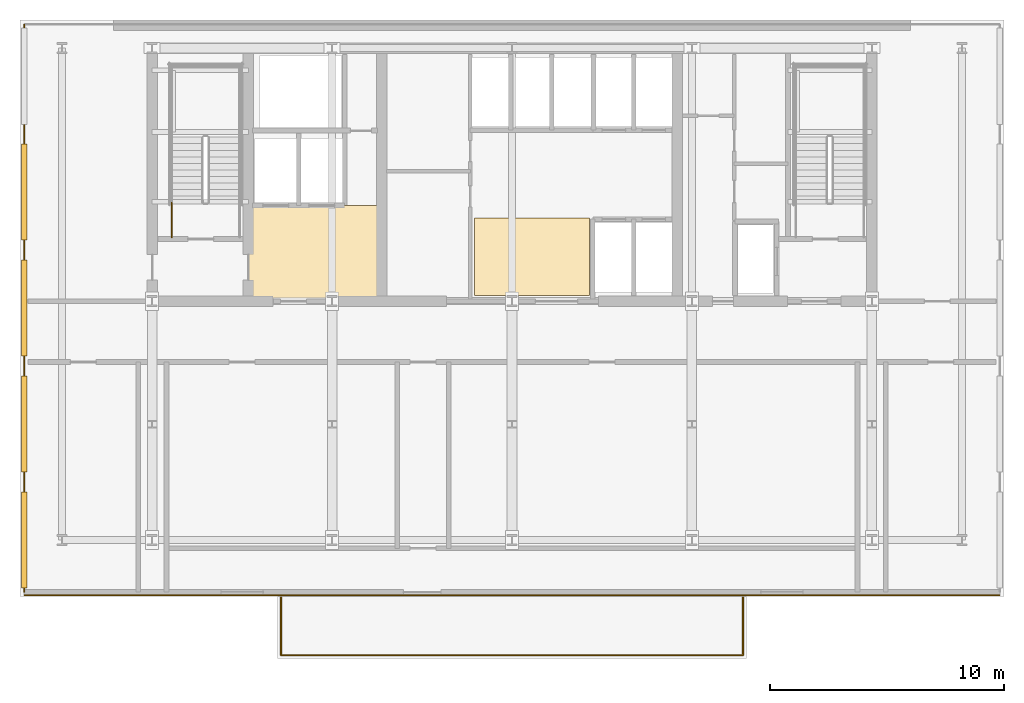
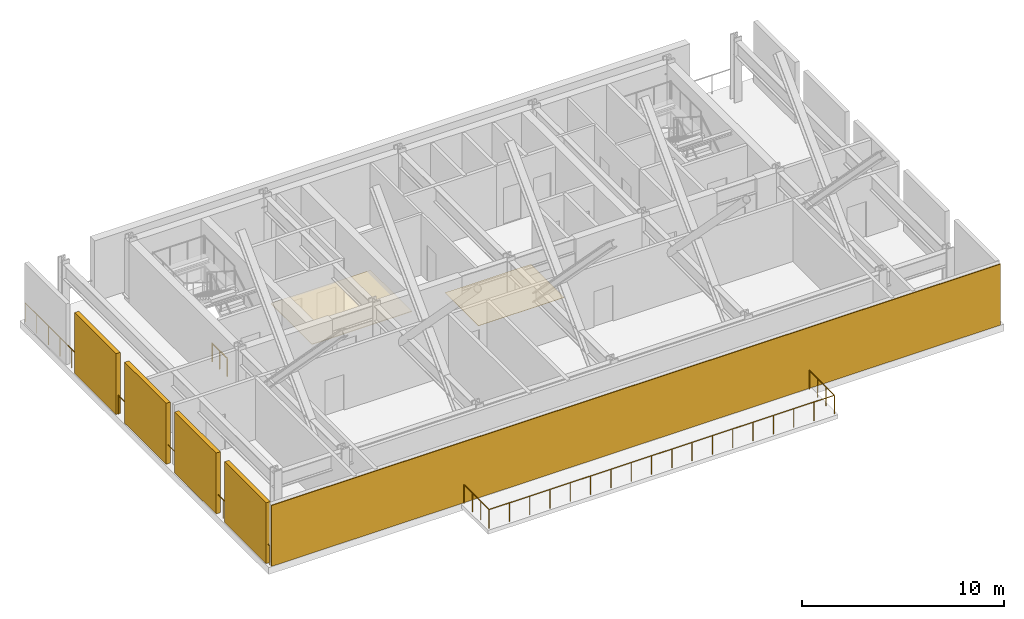
# One storey, part 5 of 8: 4 shading devices, 3 coverings, 3 railings.
"""IFC4 building model written with IfcOpenShell, lengths in metres."""

from ifc_helpers import new_model, si_unit, direction, frame, frame_2d, origin, origin_2d, place, context, subcontext, project, spatial, polyline, rectangle, circle, outline, extrude, material, layer, layer_set, type_object, element, save


model = new_model("IFC4")

# Units and contexts
model_context = context("Model", 3, precision=1e-05, world=origin(), true_north=direction((0.0, 1.0)))
body_context = subcontext(model_context, "Body", "Model", "MODEL_VIEW")
ifc_project = project(units=[si_unit("LENGTHUNIT", "METRE"), si_unit("AREAUNIT", "SQUARE_METRE"), si_unit("VOLUMEUNIT", "CUBIC_METRE"), si_unit("PLANEANGLEUNIT", "RADIAN"), si_unit("MASSUNIT", "GRAM", prefix="KILO")], contexts=[model_context])

# Site, building, storey
site_placement = place(None, origin())
site = spatial("IfcSite", under=ifc_project, at=site_placement, CompositionType="ELEMENT")
building_placement = place(site_placement, origin())
building = spatial("IfcBuilding", under=site, at=building_placement, Name="Yelkora Congress Tower", CompositionType="ELEMENT")
storey_placement = place(building_placement, frame((0.0, 0.0, 137.300048828125)))
storey = spatial("IfcBuildingStorey", under=building, at=storey_placement, Name="L37", CompositionType="ELEMENT", Elevation=137.300048828125)

# Coverings
ifc_material_1 = material(Name="Perforated mineral-fibre acoustic ceiling", Category="gypsum")
ifc_layer_1 = layer(ifc_material_1, 0.0400390625)
ifc_layer_set_1 = layer_set([ifc_layer_1], Name="Perforated mineral-fibre acoustic ceiling")
covering_type_1 = type_object("IfcCoveringType", Name="COV-CEIL-ACOUSTIC-40", PredefinedType="CEILING", material=ifc_layer_set_1)
covering_1_placement = place(storey_placement, frame((0.0, 0.0, 2.39990234375)))
element("IfcCovering", 1, at=covering_1_placement, inside=storey, type_object=covering_type_1, Name="L37 Firefighting Lobby Acoustic Ceiling", PredefinedType="CEILING", context=body_context, shape_type="SweptSolid", body=[
    extrude(outline(polyline([(27.14990234375, 35.39990234375), (32.85009765625, 35.39990234375), (32.85009765625, 39.47998046875), (27.14990234375, 39.47998046875), (27.14990234375, 35.39990234375)])), origin(), (0.0, 0.0, 1.0), 0.0400390625),
])
ifc_material_2 = material(Name="Anatolian honed limestone ashlar", Category="masonry")
ifc_layer_2 = layer(ifc_material_2, 0.050048828125)
ifc_layer_set_2 = layer_set([ifc_layer_2], Name="Anatolian honed limestone ashlar")
covering_type_2 = type_object("IfcCoveringType", Name="COV-CLAD-LIMESTONE-50", PredefinedType="CLADDING", material=ifc_layer_set_2)
covering_2_placement = place(storey_placement, frame((17.580078125, 22.840087890625, 0.0), z_axis=(0.0, 0.0, 1.0), x_axis=(1.0, 0.0, 0.0)))
element("IfcCovering", 2, at=covering_2_placement, inside=storey, type_object=covering_type_2, Name="L37 Anatolian Limestone Cladding EW-L37-S-SG", PredefinedType="CLADDING", context=body_context, shape_type="SweptSolid", body=[
    extrude(rectangle(XDim=41.639892578125, YDim=0.050048828125, at=frame_2d((20.81982421875, 0.0))), origin(), (0.0, 0.0, 1.0), 3.679931640625),
])
ifc_material_3 = material(Name="Polished Anatolian grey granite tile", Category="masonry")
ifc_layer_3 = layer(ifc_material_3, 0.02001953125)
ifc_layer_set_3 = layer_set([ifc_layer_3], Name="Polished Anatolian grey granite tile")
covering_type_3 = type_object("IfcCoveringType", Name="COV-FLOOR-GRANITE-20", PredefinedType="FLOORING", material=ifc_layer_set_3)
covering_3_placement = place(storey_placement, origin())
element("IfcCovering", 3, at=covering_3_placement, inside=storey, type_object=covering_type_3, Name="L37 Lift Lobby Granite Flooring", PredefinedType="FLOORING", context=body_context, shape_type="SweptSolid", body=[
    extrude(outline(polyline([(36.800048828125, 35.64990234375), (41.699951171875, 35.64990234375), (41.699951171875, 38.949951171875), (36.800048828125, 38.949951171875), (36.800048828125, 35.64990234375)])), origin(), (0.0, 0.0, 1.0), 0.02001953125),
])

# Railings
ifc_material_4 = material(Name="Stainless steel 316L and laminated glass infill", Category="steel")
ifc_layer_4 = layer(ifc_material_4, 0.080078125)
ifc_layer_set_4 = layer_set([ifc_layer_4], Name="Stainless steel 316L and laminated glass infill")
railing_type_1 = type_object("IfcRailingType", Name="RAIL-EXT-GUARD-1150", PredefinedType="GUARDRAIL", material=ifc_layer_set_4)
railing_1_placement = place(storey_placement, frame((17.580078125, 23.0, 0.0)))
element("IfcRailing", 4, at=railing_1_placement, inside=storey, type_object=railing_type_1, Name="L37 Wind-Floor Perimeter Guardrail W", PredefinedType="GUARDRAIL", context=body_context, shape_type="SweptSolid", body=[
    extrude(circle(Radius=0.02392578125, at=origin_2d()), frame((0.0, 0.0, 1.1259765625), z_axis=(0.0, 1.0, 0.0), x_axis=(-1.0, 0.0, 0.0)), (0.0, 0.0, 1.0), 24.199951171875),
    extrude(circle(Radius=0.02099609375, at=origin_2d()), origin(), (0.0, 0.0, 1.0), 1.101806640625),
    extrude(circle(Radius=0.02099609375, at=origin_2d()), frame((0.0, 1.15234375, 0.0)), (0.0, 0.0, 1.0), 1.101806640625),
    extrude(circle(Radius=0.02099609375, at=origin_2d()), frame((0.0, 2.3046875, 0.0)), (0.0, 0.0, 1.0), 1.101806640625),
    extrude(circle(Radius=0.02099609375, at=origin_2d()), frame((0.0, 3.45703125, 0.0)), (0.0, 0.0, 1.0), 1.101806640625),
    extrude(circle(Radius=0.02099609375, at=origin_2d()), frame((0.0, 4.609619140625, 0.0)), (0.0, 0.0, 1.0), 1.101806640625),
    extrude(circle(Radius=0.02099609375, at=origin_2d()), frame((0.0, 5.761962890625, 0.0)), (0.0, 0.0, 1.0), 1.101806640625),
    extrude(circle(Radius=0.02099609375, at=origin_2d()), frame((0.0, 6.914306640625, 0.0)), (0.0, 0.0, 1.0), 1.101806640625),
    extrude(circle(Radius=0.02099609375, at=origin_2d()), frame((0.0, 8.066650390625, 0.0)), (0.0, 0.0, 1.0), 1.101806640625),
    extrude(circle(Radius=0.02099609375, at=origin_2d()), frame((0.0, 9.218994140625, 0.0)), (0.0, 0.0, 1.0), 1.101806640625),
    extrude(circle(Radius=0.02099609375, at=origin_2d()), frame((0.0, 10.371337890625, 0.0)), (0.0, 0.0, 1.0), 1.101806640625),
    extrude(circle(Radius=0.02099609375, at=origin_2d()), frame((0.0, 11.523681640625, 0.0)), (0.0, 0.0, 1.0), 1.101806640625),
    extrude(circle(Radius=0.02099609375, at=origin_2d()), frame((0.0, 12.67626953125, 0.0)), (0.0, 0.0, 1.0), 1.101806640625),
    extrude(circle(Radius=0.02099609375, at=origin_2d()), frame((0.0, 13.82861328125, 0.0)), (0.0, 0.0, 1.0), 1.101806640625),
    extrude(circle(Radius=0.02099609375, at=origin_2d()), frame((0.0, 14.98095703125, 0.0)), (0.0, 0.0, 1.0), 1.101806640625),
    extrude(circle(Radius=0.02099609375, at=origin_2d()), frame((0.0, 16.13330078125, 0.0)), (0.0, 0.0, 1.0), 1.101806640625),
    extrude(circle(Radius=0.02099609375, at=origin_2d()), frame((0.0, 17.28564453125, 0.0)), (0.0, 0.0, 1.0), 1.101806640625),
    extrude(circle(Radius=0.02099609375, at=origin_2d()), frame((0.0, 18.43798828125, 0.0)), (0.0, 0.0, 1.0), 1.101806640625),
    extrude(circle(Radius=0.02099609375, at=origin_2d()), frame((0.0, 19.59033203125, 0.0)), (0.0, 0.0, 1.0), 1.101806640625),
    extrude(circle(Radius=0.02099609375, at=origin_2d()), frame((0.0, 20.742919921875, 0.0)), (0.0, 0.0, 1.0), 1.101806640625),
    extrude(circle(Radius=0.02099609375, at=origin_2d()), frame((0.0, 21.895263671875, 0.0)), (0.0, 0.0, 1.0), 1.101806640625),
    extrude(circle(Radius=0.02099609375, at=origin_2d()), frame((0.0, 23.047607421875, 0.0)), (0.0, 0.0, 1.0), 1.101806640625),
    extrude(circle(Radius=0.02099609375, at=origin_2d()), frame((0.0, 24.199951171875, 0.0)), (0.0, 0.0, 1.0), 1.101806640625),
])
railing_2_placement = place(storey_placement, frame((28.5400390625, 22.760009765625, 0.0)))
element("IfcRailing", 5, at=railing_2_placement, inside=storey, type_object=railing_type_1, Name="L37 Sky Garden Terrace Perimeter Guardrail", PredefinedType="GUARDRAIL", context=body_context, shape_type="SweptSolid", body=[
    extrude(circle(Radius=0.02392578125, at=origin_2d()), frame((0.0, 0.0, 1.1259765625), z_axis=(0.0, -1.0, 0.0), x_axis=(1.0, 0.0, 0.0)), (0.0, 0.0, 1.0), 2.469970703125),
    extrude(circle(Radius=0.02392578125, at=origin_2d()), frame((0.0, -2.469970703125, 1.1259765625), z_axis=(1.0, 0.0, 0.0), x_axis=(0.0, 1.0, 0.0)), (0.0, 0.0, 1.0), 19.719970703125),
    extrude(circle(Radius=0.02392578125, at=origin_2d()), frame((19.719970703125, -2.469970703125, 1.1259765625), z_axis=(0.0, 1.0, 0.0), x_axis=(-1.0, 0.0, 0.0)), (0.0, 0.0, 1.0), 2.469970703125),
    extrude(circle(Radius=0.02099609375, at=origin_2d()), origin(), (0.0, 0.0, 1.0), 1.101806640625),
    extrude(circle(Radius=0.02099609375, at=origin_2d()), frame((0.0, -0.8232421875, 0.0)), (0.0, 0.0, 1.0), 1.101806640625),
    extrude(circle(Radius=0.02099609375, at=origin_2d()), frame((0.0, -1.646728515625, 0.0)), (0.0, 0.0, 1.0), 1.101806640625),
    extrude(circle(Radius=0.02099609375, at=origin_2d()), frame((0.0, -2.469970703125, 0.0)), (0.0, 0.0, 1.0), 1.101806640625),
    extrude(circle(Radius=0.02099609375, at=origin_2d()), frame((1.159912109375, -2.469970703125, 0.0)), (0.0, 0.0, 1.0), 1.101806640625),
    extrude(circle(Radius=0.02099609375, at=origin_2d()), frame((2.320068359375, -2.469970703125, 0.0)), (0.0, 0.0, 1.0), 1.101806640625),
    extrude(circle(Radius=0.02099609375, at=origin_2d()), frame((3.47998046875, -2.469970703125, 0.0)), (0.0, 0.0, 1.0), 1.101806640625),
    extrude(circle(Radius=0.02099609375, at=origin_2d()), frame((4.639892578125, -2.469970703125, 0.0)), (0.0, 0.0, 1.0), 1.101806640625),
    extrude(circle(Radius=0.02099609375, at=origin_2d()), frame((5.800048828125, -2.469970703125, 0.0)), (0.0, 0.0, 1.0), 1.101806640625),
    extrude(circle(Radius=0.02099609375, at=origin_2d()), frame((6.9599609375, -2.469970703125, 0.0)), (0.0, 0.0, 1.0), 1.101806640625),
    extrude(circle(Radius=0.02099609375, at=origin_2d()), frame((8.119873046875, -2.469970703125, 0.0)), (0.0, 0.0, 1.0), 1.101806640625),
    extrude(circle(Radius=0.02099609375, at=origin_2d()), frame((9.280029296875, -2.469970703125, 0.0)), (0.0, 0.0, 1.0), 1.101806640625),
    extrude(circle(Radius=0.02099609375, at=origin_2d()), frame((10.43994140625, -2.469970703125, 0.0)), (0.0, 0.0, 1.0), 1.101806640625),
    extrude(circle(Radius=0.02099609375, at=origin_2d()), frame((11.60009765625, -2.469970703125, 0.0)), (0.0, 0.0, 1.0), 1.101806640625),
    extrude(circle(Radius=0.02099609375, at=origin_2d()), frame((12.760009765625, -2.469970703125, 0.0)), (0.0, 0.0, 1.0), 1.101806640625),
    extrude(circle(Radius=0.02099609375, at=origin_2d()), frame((13.919921875, -2.469970703125, 0.0)), (0.0, 0.0, 1.0), 1.101806640625),
    extrude(circle(Radius=0.02099609375, at=origin_2d()), frame((15.080078125, -2.469970703125, 0.0)), (0.0, 0.0, 1.0), 1.101806640625),
    extrude(circle(Radius=0.02099609375, at=origin_2d()), frame((16.239990234375, -2.469970703125, 0.0)), (0.0, 0.0, 1.0), 1.101806640625),
    extrude(circle(Radius=0.02099609375, at=origin_2d()), frame((17.39990234375, -2.469970703125, 0.0)), (0.0, 0.0, 1.0), 1.101806640625),
    extrude(circle(Radius=0.02099609375, at=origin_2d()), frame((18.56005859375, -2.469970703125, 0.0)), (0.0, 0.0, 1.0), 1.101806640625),
    extrude(circle(Radius=0.02099609375, at=origin_2d()), frame((19.719970703125, -2.469970703125, 0.0)), (0.0, 0.0, 1.0), 1.101806640625),
    extrude(circle(Radius=0.02099609375, at=origin_2d()), frame((19.719970703125, -1.646728515625, 0.0)), (0.0, 0.0, 1.0), 1.101806640625),
    extrude(circle(Radius=0.02099609375, at=origin_2d()), frame((19.719970703125, -0.8232421875, 0.0)), (0.0, 0.0, 1.0), 1.101806640625),
    extrude(circle(Radius=0.02099609375, at=origin_2d()), frame((19.719970703125, 0.0, 0.0)), (0.0, 0.0, 1.0), 1.101806640625),
])
ifc_material_5 = material(Name="Painted galvanised steel stair well guard with vertical infill", Category="steel")
ifc_layer_5 = layer(ifc_material_5, 0.06005859375)
ifc_layer_set_5 = layer_set([ifc_layer_5], Name="Painted galvanised steel stair well guard with vertical infill")
railing_type_2 = type_object("IfcRailingType", Name="RAIL-STAIR-GUARD-1120", PredefinedType="GUARDRAIL", material=ifc_layer_set_5)
railing_3_placement = place(storey_placement, frame((23.8701171875, 38.1201171875, 0.0)))
element("IfcRailing", 6, at=railing_3_placement, inside=storey, type_object=railing_type_2, Name="ST-01 L37 Stair Well Guardrail 9", PredefinedType="GUARDRAIL", context=body_context, shape_type="SweptSolid", body=[
    extrude(circle(Radius=0.02392578125, at=origin_2d()), frame((0.0, 0.0, 1.09619140625), z_axis=(0.0, 1.0, 0.0), x_axis=(-1.0, 0.0, 0.0)), (0.0, 0.0, 1.0), 1.47998046875),
    extrude(circle(Radius=0.02099609375, at=origin_2d()), origin(), (0.0, 0.0, 1.0), 1.072021484375),
    extrude(circle(Radius=0.02099609375, at=origin_2d()), frame((0.0, 0.739990234375, 0.0)), (0.0, 0.0, 1.0), 1.072021484375),
    extrude(circle(Radius=0.02099609375, at=origin_2d()), frame((0.0, 1.47998046875, 0.0)), (0.0, 0.0, 1.0), 1.072021484375),
])

# Shading devices
ifc_material_6 = material(Name="Perforated anodised aluminium louvre", Category="aluminium")
ifc_layer_6 = layer(ifc_material_6, 3.39990234375)
ifc_layer_set_6 = layer_set([ifc_layer_6], Name="Perforated anodised aluminium louvre")
shading_device_type = type_object("IfcShadingDeviceType", Name="SHD-LOUVRE-WIND", PredefinedType="JALOUSIE", material=ifc_layer_set_6)
for number, where, z_axis, x_axis, name in (
    (7, (17.580078125, 25.199951171875, 0.0), (0.0, 0.0, 1.0), (1.0, 0.0, 0.0), "L37 Acoustic Wind-Floor Louvre Screen W1"),
    (8, (17.580078125, 30.14990234375, 0.0), (0.0, 0.0, 1.0), (1.0, 0.0, 0.0), "L37 Acoustic Wind-Floor Louvre Screen W2"),
    (9, (17.580078125, 35.10009765625, 0.0), (0.0, 0.0, 1.0), (1.0, 0.0, 0.0), "L37 Acoustic Wind-Floor Louvre Screen W3"),
    (10, (17.580078125, 40.050048828125, 0.0), (0.0, 0.0, 1.0), (1.0, 0.0, 0.0), "L37 Acoustic Wind-Floor Louvre Screen W4"),
):
    element("IfcShadingDevice", number, at=place(storey_placement, frame(where, z_axis=z_axis, x_axis=x_axis)), inside=storey, type_object=shading_device_type, Name=name, PredefinedType="JALOUSIE", context=body_context, shape_type="SweptSolid", body=[
        extrude(rectangle(XDim=0.239990234375, YDim=4.10009765625, at=origin_2d()), origin(), (0.0, 0.0, 1.0), 3.679931640625),
    ])

save(model, "model.ifc")
